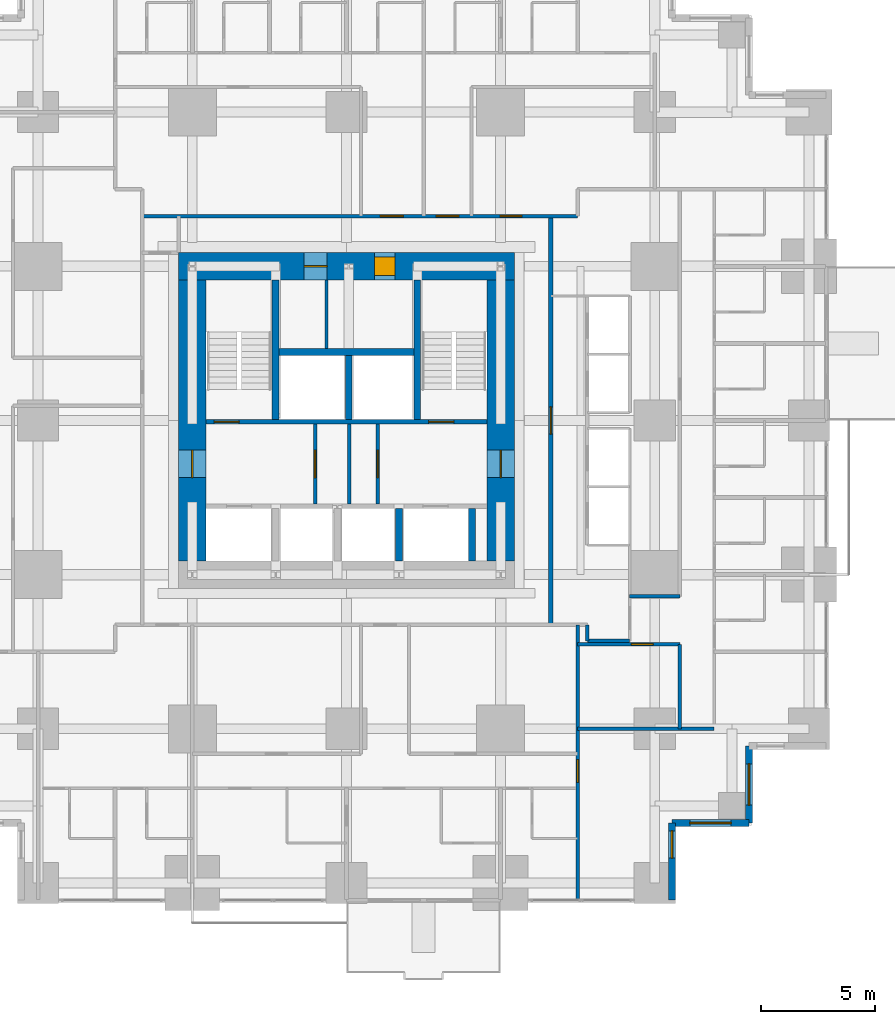
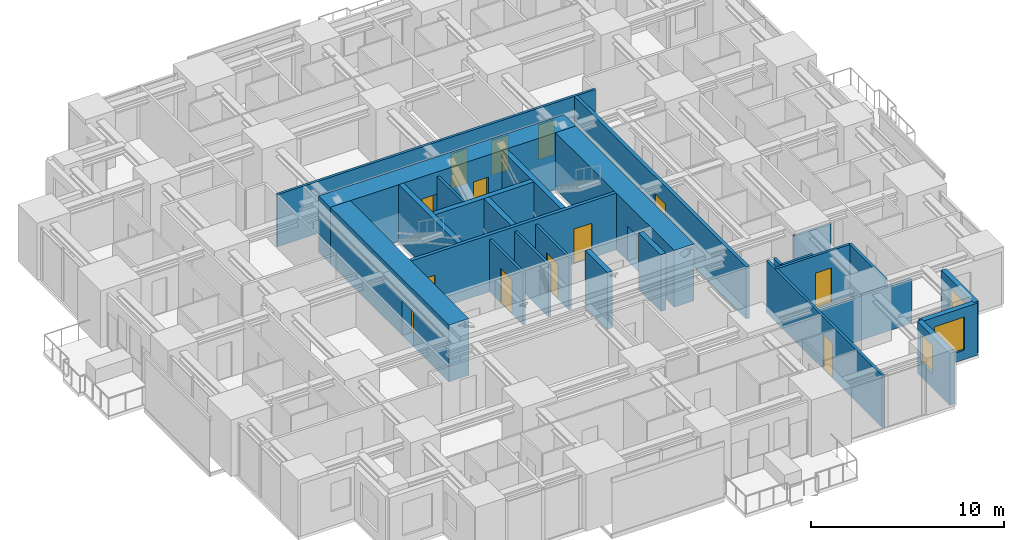
# One storey, part 10 of 15: 26 walls, 14 doors, 3 windows, 17 openings.
"""IFC4 building model written with IfcOpenShell, lengths in metres."""

from ifc_helpers import new_model, si_unit, direction, frame, frame_2d, origin, place, context, subcontext, project, spatial, rectangle, extrude, material, layer, layer_set, type_object, element, fill, save


model = new_model("IFC4")

# Units and contexts
model_context = context("Model", 3, precision=1e-05, world=origin(), true_north=direction((0.0, 1.0)))
body_context = subcontext(model_context, "Body", "Model", "MODEL_VIEW")
ifc_project = project(units=[si_unit("LENGTHUNIT", "METRE"), si_unit("AREAUNIT", "SQUARE_METRE"), si_unit("VOLUMEUNIT", "CUBIC_METRE"), si_unit("PLANEANGLEUNIT", "RADIAN"), si_unit("MASSUNIT", "GRAM", prefix="KILO")], contexts=[model_context])

# Site, building, storey
site_placement = place(None, origin())
site = spatial("IfcSite", under=ifc_project, at=site_placement, CompositionType="ELEMENT")
building_placement = place(site_placement, origin())
building = spatial("IfcBuilding", under=site, at=building_placement, Name="Nyansa Garden Tower", CompositionType="ELEMENT")
storey_placement = place(building_placement, frame((0.0, 0.0, 72.0)))
storey = spatial("IfcBuildingStorey", under=building, at=storey_placement, Name="L19", CompositionType="ELEMENT", Elevation=72.0)

# Wall, openings, doors
ifc_material_1 = material(Name="Concrete C70/85", Category="concrete")
ifc_layer_1 = layer(ifc_material_1, 0.199951171875)
ifc_layer_set_1 = layer_set([ifc_layer_1], Name="Core inner wall CI200")
wall_type_1 = type_object("IfcWallType", Name="Core inner wall CI200", PredefinedType="SHEAR", material=ifc_layer_set_1)
wall_1_placement = place(storey_placement, frame((14.10009765625, 20.199951171875, 0.0), z_axis=(0.0, 0.0, 1.0), x_axis=(1.0, 0.0, 0.0)))
wall_1 = element("IfcWall", 1, at=wall_1_placement, inside=storey, type_object=wall_type_1, Name="Core inner wall L19", PredefinedType="SHEAR", context=body_context, shape_type="SweptSolid", body=[
    extrude(rectangle(XDim=12.2998046875, YDim=0.199951171875, at=frame_2d((6.14990234375, 0.0))), origin(), (0.0, 0.0, 1.0), 3.60009765625),
])
opening_1_placement = place(wall_1_placement, frame((0.35009765625, 0.0, 0.0)))
opening_1 = element("IfcOpeningElement", 2, at=opening_1_placement, cuts=wall_1, Name="Opening D05", PredefinedType="OPENING", context=body_context, shape_type="SweptSolid", body=[
    extrude(rectangle(XDim=1.10009765625, YDim=2.199951171875, at=frame_2d((0.550048828125, 1.10009765625))), frame((0.0, 0.10986328125, 0.0), z_axis=(0.0, -1.0, 0.0), x_axis=(1.0, 0.0, 0.0)), (0.0, 0.0, 1.0), 0.219970703125),
])
opening_2_placement = place(wall_1_placement, frame((9.75, 0.0, 0.0)))
opening_2 = element("IfcOpeningElement", 3, at=opening_2_placement, cuts=wall_1, Name="Opening D05", PredefinedType="OPENING", context=body_context, shape_type="SweptSolid", body=[
    extrude(rectangle(XDim=1.10009765625, YDim=2.199951171875, at=frame_2d((0.550048828125, 1.10009765625))), frame((0.0, 0.10986328125, 0.0), z_axis=(0.0, -1.0, 0.0), x_axis=(1.0, 0.0, 0.0)), (0.0, 0.0, 1.0), 0.219970703125),
])
ifc_material_2 = material(Name="Steel door, 120 minute fire resisting", Category="steel")
door_type_1 = type_object("IfcDoorType", Name="Stair door D05 1100x2200", OperationType="SINGLE_SWING_LEFT", PredefinedType="DOOR", material=ifc_material_2)
door_1_placement = place(opening_1_placement, origin())
door_1 = element("IfcDoor", 4, at=door_1_placement, inside=storey, type_object=door_type_1, Name="Stair S1 door", OperationType="SINGLE_SWING_LEFT", OverallHeight=2.199951171875, OverallWidth=1.10009765625, PredefinedType="DOOR", context=body_context, shape_type="SweptSolid", body=[
    extrude(rectangle(XDim=1.10009765625, YDim=2.199951171875, at=frame_2d((0.550048828125, 1.10009765625))), frame((0.0, 0.02490234375, 0.0), z_axis=(0.0, -1.0, 0.0), x_axis=(1.0, 0.0, 0.0)), (0.0, 0.0, 1.0), 0.050048828125),
])
fill(opening_1, door_1)
door_2_placement = place(opening_2_placement, origin())
door_2 = element("IfcDoor", 5, at=door_2_placement, inside=storey, type_object=door_type_1, Name="Stair S2 door", OperationType="SINGLE_SWING_LEFT", OverallHeight=2.199951171875, OverallWidth=1.10009765625, PredefinedType="DOOR", context=body_context, shape_type="SweptSolid", body=[
    extrude(rectangle(XDim=1.10009765625, YDim=2.199951171875, at=frame_2d((0.550048828125, 1.10009765625))), frame((0.0, 0.02490234375, 0.0), z_axis=(0.0, -1.0, 0.0), x_axis=(1.0, 0.0, 0.0)), (0.0, 0.0, 1.0), 0.050048828125),
])
fill(opening_2, door_2)

# Walls
ifc_material_3 = material(Name="Concrete C70/85", Category="concrete")
ifc_layer_2 = layer(ifc_material_3, 0.300048828125)
ifc_layer_set_2 = layer_set([ifc_layer_2], Name="Core inner wall CI300")
wall_type_2 = type_object("IfcWallType", Name="Core inner wall CI300", PredefinedType="SHEAR", material=ifc_layer_set_2)
for number, where, z_axis, x_axis, name in (
    (6, (17.14990234375, 20.300048828125, 0.0), (0.0, 0.0, 1.0), (0.0, 1.0, 0.0), "Core inner wall L19"),
    (7, (23.35009765625, 20.300048828125, 0.0), (0.0, 0.0, 1.0), (0.0, 1.0, 0.0), "Core inner wall L19"),
):
    element("IfcWall", number, at=place(storey_placement, frame(where, z_axis=z_axis, x_axis=x_axis)), inside=storey, type_object=wall_type_2, Name=name, PredefinedType="SHEAR", context=body_context, shape_type="SweptSolid", body=[
        extrude(rectangle(XDim=6.099853515625, YDim=0.300048828125, at=frame_2d((3.0498046875, 0.0))), origin(), (0.0, 0.0, 1.0), 3.60009765625),
    ])
wall_2_placement = place(storey_placement, frame((20.35009765625, 20.300048828125, 0.0), z_axis=(0.0, 0.0, 1.0), x_axis=(0.0, 1.0, 0.0)))
element("IfcWall", 8, at=wall_2_placement, inside=storey, type_object=wall_type_2, Name="Core inner wall L19", PredefinedType="SHEAR", context=body_context, shape_type="SweptSolid", body=[
    extrude(rectangle(XDim=2.800048828125, YDim=0.300048828125, at=frame_2d((1.39990234375, 0.0))), origin(), (0.0, 0.0, 1.0), 3.60009765625),
])
wall_3_placement = place(storey_placement, frame((17.300048828125, 23.25, 0.0), z_axis=(0.0, 0.0, 1.0), x_axis=(1.0, 0.0, 0.0)))
element("IfcWall", 9, at=wall_3_placement, inside=storey, type_object=wall_type_2, Name="Core inner wall L19", PredefinedType="SHEAR", context=body_context, shape_type="SweptSolid", body=[
    extrude(rectangle(XDim=5.89990234375, YDim=0.300048828125, at=frame_2d((2.949951171875, 0.0))), origin(), (0.0, 0.0, 1.0), 3.60009765625),
])
for number, where, z_axis, x_axis, name in (
    (10, (22.550048828125, 14.10009765625, 0.0), (0.0, 0.0, 1.0), (0.0, 1.0, 0.0), "Core inner wall L19"),
    (11, (25.75, 14.10009765625, 0.0), (0.0, 0.0, 1.0), (0.0, 1.0, 0.0), "Core inner wall L19"),
):
    element("IfcWall", number, at=place(storey_placement, frame(where, z_axis=z_axis, x_axis=x_axis)), inside=storey, type_object=wall_type_2, Name=name, PredefinedType="SHEAR", context=body_context, shape_type="SweptSolid", body=[
        extrude(rectangle(XDim=2.2998046875, YDim=0.300048828125, at=frame_2d((1.14990234375, 0.0))), origin(), (0.0, 0.0, 1.0), 3.60009765625),
    ])

# Wall, opening, door
ifc_material_4 = material(Name="Concrete C80/95", Category="concrete")
ifc_layer_3 = layer(ifc_material_4, 1.199951171875)
ifc_layer_set_3 = layer_set([ifc_layer_3], Name="Core wall CW1200")
wall_type_3 = type_object("IfcWallType", Name="Core wall CW1200", PredefinedType="SHEAR", material=ifc_layer_set_3)
wall_4_placement = place(storey_placement, frame((27.0, 14.10009765625, 0.0), z_axis=(0.0, 0.0, 1.0), x_axis=(0.0, 1.0, 0.0)))
wall_4 = element("IfcWall", 12, at=wall_4_placement, inside=storey, type_object=wall_type_3, Name="Core wall E L19", PredefinedType="SHEAR", context=body_context, shape_type="SweptSolid", body=[
    extrude(rectangle(XDim=12.2998046875, YDim=1.199951171875, at=frame_2d((6.14990234375, 0.0))), origin(), (0.0, 0.0, 1.0), 3.60009765625),
])
opening_3_placement = place(wall_4_placement, frame((3.64990234375, 0.0, 0.0)))
opening_3 = element("IfcOpeningElement", 13, at=opening_3_placement, cuts=wall_4, Name="Opening D06", PredefinedType="OPENING", context=body_context, shape_type="SweptSolid", body=[
    extrude(rectangle(XDim=1.199951171875, YDim=2.199951171875, at=frame_2d((0.60009765625, 1.10009765625))), frame((0.0, 0.60986328125, 0.0), z_axis=(0.0, -1.0, 0.0), x_axis=(1.0, 0.0, 0.0)), (0.0, 0.0, 1.0), 1.219970703125),
])
ifc_material_5 = material(Name="Steel door, 120 minute fire resisting", Category="steel")
door_type_2 = type_object("IfcDoorType", Name="Lobby door D06 1200x2200", OperationType="DOUBLE_DOOR_SINGLE_SWING", PredefinedType="DOOR", material=ifc_material_5)
door_3_placement = place(opening_3_placement, origin())
door_3 = element("IfcDoor", 14, at=door_3_placement, inside=storey, type_object=door_type_2, Name="Lift lobby door east", OperationType="DOUBLE_DOOR_SINGLE_SWING", OverallHeight=2.199951171875, OverallWidth=1.199951171875, PredefinedType="DOOR", context=body_context, shape_type="SweptSolid", body=[
    extrude(rectangle(XDim=1.199951171875, YDim=2.199951171875, at=frame_2d((0.60009765625, 1.10009765625))), frame((0.0, 0.02490234375, 0.0), z_axis=(0.0, -1.0, 0.0), x_axis=(1.0, 0.0, 0.0)), (0.0, 0.0, 1.0), 0.050048828125),
])
fill(opening_3, door_3)

# Wall, openings, doors
wall_5_placement = place(storey_placement, frame((27.60009765625, 27.0, 0.0), z_axis=(0.0, 0.0, 1.0), x_axis=(-1.0, 0.0, 0.0)))
wall_5 = element("IfcWall", 15, at=wall_5_placement, inside=storey, type_object=wall_type_3, Name="Core wall N L19", PredefinedType="SHEAR", context=body_context, shape_type="SweptSolid", body=[
    extrude(rectangle(XDim=14.7001953125, YDim=1.199951171875, at=frame_2d((7.35009765625, 0.0))), origin(), (0.0, 0.0, 1.0), 3.60009765625),
])
opening_4_placement = place(wall_5_placement, frame((5.22509765625, 0.0, 0.0)))
opening_4 = element("IfcOpeningElement", 16, at=opening_4_placement, cuts=wall_5, Name="Opening D15", PredefinedType="OPENING", context=body_context, shape_type="SweptSolid", body=[
    extrude(rectangle(XDim=0.89990234375, YDim=2.199951171875, at=frame_2d((0.449951171875, 1.10009765625))), frame((0.0, 0.60986328125, 0.0), z_axis=(0.0, -1.0, 0.0), x_axis=(1.0, 0.0, 0.0)), (0.0, 0.0, 1.0), 1.219970703125),
])
opening_5_placement = place(wall_5_placement, frame((8.199951171875, 0.0, 0.0)))
opening_5 = element("IfcOpeningElement", 17, at=opening_5_placement, cuts=wall_5, Name="Opening D07", PredefinedType="OPENING", context=body_context, shape_type="SweptSolid", body=[
    extrude(rectangle(XDim=1.0, YDim=2.199951171875, at=frame_2d((0.5, 1.10009765625))), frame((0.0, 0.60986328125, 0.0), z_axis=(0.0, -1.0, 0.0), x_axis=(1.0, 0.0, 0.0)), (0.0, 0.0, 1.0), 1.219970703125),
])
ifc_material_6 = material(Name="Timber flush door, 60 minute fire resisting, self-closing", Category="wood")
door_type_3 = type_object("IfcDoorType", Name="Core room door D15 900x2200", OperationType="SINGLE_SWING_LEFT", PredefinedType="DOOR", material=ifc_material_6)
door_4_placement = place(opening_4_placement, origin())
door_4 = element("IfcDoor", 18, at=door_4_placement, inside=storey, type_object=door_type_3, Name="Core room door", OperationType="SINGLE_SWING_LEFT", OverallHeight=2.199951171875, OverallWidth=0.89990234375, PredefinedType="DOOR", context=body_context, shape_type="SweptSolid", body=[
    extrude(rectangle(XDim=0.89990234375, YDim=2.199951171875, at=frame_2d((0.449951171875, 1.10009765625))), frame((0.0, 0.39990234375, 0.0), z_axis=(0.0, -1.0, 0.0), x_axis=(1.0, 0.0, 0.0)), (0.0, 0.0, 1.0), 0.800048828125),
])
fill(opening_4, door_4)
ifc_material_7 = material(Name="Steel door, 120 minute fire resisting", Category="steel")
door_type_4 = type_object("IfcDoorType", Name="Riser door D07 1000x2200", OperationType="SINGLE_SWING_LEFT", PredefinedType="DOOR", material=ifc_material_7)
door_5_placement = place(opening_5_placement, origin())
door_5 = element("IfcDoor", 19, at=door_5_placement, inside=storey, type_object=door_type_4, Name="Riser and refuse room door", OperationType="SINGLE_SWING_LEFT", OverallHeight=2.199951171875, OverallWidth=1.0, PredefinedType="DOOR", context=body_context, shape_type="SweptSolid", body=[
    extrude(rectangle(XDim=1.0, YDim=2.199951171875, at=frame_2d((0.5, 1.10009765625))), frame((0.0, 0.02490234375, 0.0), z_axis=(0.0, -1.0, 0.0), x_axis=(1.0, 0.0, 0.0)), (0.0, 0.0, 1.0), 0.050048828125),
])
fill(opening_5, door_5)

# Wall, opening, door
wall_6_placement = place(storey_placement, frame((13.5, 26.39990234375, 0.0), z_axis=(0.0, 0.0, 1.0), x_axis=(0.0, -1.0, 0.0)))
wall_6 = element("IfcWall", 20, at=wall_6_placement, inside=storey, type_object=wall_type_3, Name="Core wall W L19", PredefinedType="SHEAR", context=body_context, shape_type="SweptSolid", body=[
    extrude(rectangle(XDim=12.2998046875, YDim=1.199951171875, at=frame_2d((6.14990234375, 0.0))), origin(), (0.0, 0.0, 1.0), 3.60009765625),
])
opening_6_placement = place(wall_6_placement, frame((7.449951171875, 0.0, 0.0)))
opening_6 = element("IfcOpeningElement", 21, at=opening_6_placement, cuts=wall_6, Name="Opening D06", PredefinedType="OPENING", context=body_context, shape_type="SweptSolid", body=[
    extrude(rectangle(XDim=1.199951171875, YDim=2.199951171875, at=frame_2d((0.60009765625, 1.10009765625))), frame((0.0, 0.60986328125, 0.0), z_axis=(0.0, -1.0, 0.0), x_axis=(1.0, 0.0, 0.0)), (0.0, 0.0, 1.0), 1.219970703125),
])
door_6_placement = place(opening_6_placement, origin())
door_6 = element("IfcDoor", 22, at=door_6_placement, inside=storey, type_object=door_type_2, Name="Lift lobby door west", OperationType="DOUBLE_DOOR_SINGLE_SWING", OverallHeight=2.199951171875, OverallWidth=1.199951171875, PredefinedType="DOOR", context=body_context, shape_type="SweptSolid", body=[
    extrude(rectangle(XDim=1.199951171875, YDim=2.199951171875, at=frame_2d((0.60009765625, 1.10009765625))), frame((0.0, 0.02490234375, 0.0), z_axis=(0.0, -1.0, 0.0), x_axis=(1.0, 0.0, 0.0)), (0.0, 0.0, 1.0), 0.050048828125),
])
fill(opening_6, door_6)

ifc_material_8 = material(Name="Concrete blockwork, plastered, 60 minute fire resisting", Category="masonry")
ifc_layer_4 = layer(ifc_material_8, 0.199951171875)
ifc_layer_set_4 = layer_set([ifc_layer_4], Name="Corridor wall FW200")
wall_type_4 = type_object("IfcWallType", Name="Corridor wall FW200", PredefinedType="PARTITIONING", material=ifc_layer_set_4)
wall_7_placement = place(storey_placement, frame((29.199951171875, 11.300048828125, 0.0), z_axis=(0.0, 0.0, 1.0), x_axis=(0.0, 1.0, 0.0)))
wall_7 = element("IfcWall", 23, at=wall_7_placement, inside=storey, type_object=wall_type_4, Name="Corridor wall", PredefinedType="PARTITIONING", context=body_context, shape_type="SweptSolid", body=[
    extrude(rectangle(XDim=17.89990234375, YDim=0.199951171875, at=frame_2d((8.949951171875, 0.0))), origin(), (0.0, 0.0, 1.0), 3.300048828125),
])
opening_7_placement = place(wall_7_placement, frame((8.35009765625, 0.0, 0.0)))
opening_7 = element("IfcOpeningElement", 24, at=opening_7_placement, cuts=wall_7, Name="Opening D06", PredefinedType="OPENING", context=body_context, shape_type="SweptSolid", body=[
    extrude(rectangle(XDim=1.199951171875, YDim=2.199951171875, at=frame_2d((0.60009765625, 1.10009765625))), frame((0.0, 0.10986328125, 0.0), z_axis=(0.0, -1.0, 0.0), x_axis=(1.0, 0.0, 0.0)), (0.0, 0.0, 1.0), 0.219970703125),
])
door_7_placement = place(opening_7_placement, origin())
door_7 = element("IfcDoor", 25, at=door_7_placement, inside=storey, type_object=door_type_2, Name="Low-rise lift lobby door", OperationType="DOUBLE_DOOR_SINGLE_SWING", OverallHeight=2.199951171875, OverallWidth=1.199951171875, PredefinedType="DOOR", context=body_context, shape_type="SweptSolid", body=[
    extrude(rectangle(XDim=1.199951171875, YDim=2.199951171875, at=frame_2d((0.60009765625, 1.10009765625))), frame((0.0, 0.02490234375, 0.0), z_axis=(0.0, -1.0, 0.0), x_axis=(1.0, 0.0, 0.0)), (0.0, 0.0, 1.0), 0.050048828125),
])
fill(opening_7, door_7)

ifc_material_9 = material(Name="Blockwork, plastered both sides", Category="masonry")
ifc_layer_5 = layer(ifc_material_9, 0.14990234375)
ifc_layer_set_5 = layer_set([ifc_layer_5], Name="Partition PW150")
wall_type_5 = type_object("IfcWallType", Name="Partition PW150", PredefinedType="PARTITIONING", material=ifc_layer_set_5)
wall_8_placement = place(storey_placement, frame((18.875, 16.60009765625, 0.0), z_axis=(0.0, 0.0, 1.0), x_axis=(0.0, 1.0, 0.0)))
wall_8 = element("IfcWall", 26, at=wall_8_placement, inside=storey, type_object=wall_type_5, Name="Partition", PredefinedType="PARTITIONING", context=body_context, shape_type="SweptSolid", body=[
    extrude(rectangle(XDim=3.5, YDim=0.14990234375, at=frame_2d((1.75, 0.0))), origin(), (0.0, 0.0, 1.0), 3.300048828125),
])
opening_8_placement = place(wall_8_placement, frame((1.14990234375, 0.0, 0.0)))
opening_8 = element("IfcOpeningElement", 27, at=opening_8_placement, cuts=wall_8, Name="Opening D06", PredefinedType="OPENING", context=body_context, shape_type="SweptSolid", body=[
    extrude(rectangle(XDim=1.199951171875, YDim=2.199951171875, at=frame_2d((0.60009765625, 1.10009765625))), frame((0.0, 0.0849609375, 0.0), z_axis=(0.0, -1.0, 0.0), x_axis=(1.0, 0.0, 0.0)), (0.0, 0.0, 1.0), 0.169921875),
])
door_8_placement = place(opening_8_placement, origin())
door_8 = element("IfcDoor", 28, at=door_8_placement, inside=storey, type_object=door_type_2, Name="Passenger lift lobby door", OperationType="DOUBLE_DOOR_SINGLE_SWING", OverallHeight=2.199951171875, OverallWidth=1.199951171875, PredefinedType="DOOR", context=body_context, shape_type="SweptSolid", body=[
    extrude(rectangle(XDim=1.199951171875, YDim=2.199951171875, at=frame_2d((0.60009765625, 1.10009765625))), frame((0.0, 0.02490234375, 0.0), z_axis=(0.0, -1.0, 0.0), x_axis=(1.0, 0.0, 0.0)), (0.0, 0.0, 1.0), 0.050048828125),
])
fill(opening_8, door_8)

wall_9_placement = place(storey_placement, frame((21.625, 16.60009765625, 0.0), z_axis=(0.0, 0.0, 1.0), x_axis=(0.0, 1.0, 0.0)))
wall_9 = element("IfcWall", 29, at=wall_9_placement, inside=storey, type_object=wall_type_5, Name="Partition", PredefinedType="PARTITIONING", context=body_context, shape_type="SweptSolid", body=[
    extrude(rectangle(XDim=3.5, YDim=0.14990234375, at=frame_2d((1.75, 0.0))), origin(), (0.0, 0.0, 1.0), 3.300048828125),
])
opening_9_placement = place(wall_9_placement, frame((1.14990234375, 0.0, 0.0)))
opening_9 = element("IfcOpeningElement", 30, at=opening_9_placement, cuts=wall_9, Name="Opening D06", PredefinedType="OPENING", context=body_context, shape_type="SweptSolid", body=[
    extrude(rectangle(XDim=1.199951171875, YDim=2.199951171875, at=frame_2d((0.60009765625, 1.10009765625))), frame((0.0, 0.0849609375, 0.0), z_axis=(0.0, -1.0, 0.0), x_axis=(1.0, 0.0, 0.0)), (0.0, 0.0, 1.0), 0.169921875),
])
door_9_placement = place(opening_9_placement, origin())
door_9 = element("IfcDoor", 31, at=door_9_placement, inside=storey, type_object=door_type_2, Name="Passenger lift lobby door", OperationType="DOUBLE_DOOR_SINGLE_SWING", OverallHeight=2.199951171875, OverallWidth=1.199951171875, PredefinedType="DOOR", context=body_context, shape_type="SweptSolid", body=[
    extrude(rectangle(XDim=1.199951171875, YDim=2.199951171875, at=frame_2d((0.60009765625, 1.10009765625))), frame((0.0, 0.02490234375, 0.0), z_axis=(0.0, -1.0, 0.0), x_axis=(1.0, 0.0, 0.0)), (0.0, 0.0, 1.0), 0.050048828125),
])
fill(opening_9, door_9)

# Walls
wall_10_placement = place(storey_placement, frame((20.3798828125, 16.60009765625, 0.0), z_axis=(0.0, 0.0, 1.0), x_axis=(0.0, 1.0, 0.0)))
element("IfcWall", 32, at=wall_10_placement, inside=storey, type_object=wall_type_5, Name="Partition", PredefinedType="PARTITIONING", context=body_context, shape_type="SweptSolid", body=[
    extrude(rectangle(XDim=3.5, YDim=0.14990234375, at=frame_2d((1.75, 0.0))), origin(), (0.0, 0.0, 1.0), 3.300048828125),
])
wall_11_placement = place(storey_placement, frame((19.375, 23.39990234375, 0.0), z_axis=(0.0, 0.0, 1.0), x_axis=(0.0, 1.0, 0.0)))
element("IfcWall", 33, at=wall_11_placement, inside=storey, type_object=wall_type_5, Name="Partition", PredefinedType="PARTITIONING", context=body_context, shape_type="SweptSolid", body=[
    extrude(rectangle(XDim=3.0, YDim=0.14990234375, at=frame_2d((1.5, 0.0))), origin(), (0.0, 0.0, 1.0), 3.300048828125),
])

# Wall, openings, doors
wall_12_placement = place(storey_placement, frame((11.300048828125, 29.199951171875, 0.0), z_axis=(0.0, 0.0, 1.0), x_axis=(1.0, 0.0, 0.0)))
wall_12 = element("IfcWall", 34, at=wall_12_placement, inside=storey, type_object=wall_type_5, Name="Partition", PredefinedType="PARTITIONING", context=body_context, shape_type="SweptSolid", body=[
    extrude(rectangle(XDim=19.074951171875, YDim=0.14990234375, at=frame_2d((9.53759765625, 0.0))), origin(), (0.0, 0.0, 1.0), 3.300048828125),
])
opening_10_placement = place(wall_12_placement, frame((12.875, 0.0, 0.0)))
opening_10 = element("IfcOpeningElement", 35, at=opening_10_placement, cuts=wall_12, Name="Opening D03", PredefinedType="OPENING", context=body_context, shape_type="SweptSolid", body=[
    extrude(rectangle(XDim=1.0, YDim=2.199951171875, at=frame_2d((0.5, 1.10009765625))), frame((0.0, 0.0849609375, 0.0), z_axis=(0.0, -1.0, 0.0), x_axis=(1.0, 0.0, 0.0)), (0.0, 0.0, 1.0), 0.169921875),
])
opening_11_placement = place(wall_12_placement, frame((10.4375, 0.0, 0.0)))
opening_11 = element("IfcOpeningElement", 36, at=opening_11_placement, cuts=wall_12, Name="Opening D03", PredefinedType="OPENING", context=body_context, shape_type="SweptSolid", body=[
    extrude(rectangle(XDim=1.0, YDim=2.199951171875, at=frame_2d((0.5, 1.10009765625))), frame((0.0, 0.0849609375, 0.0), z_axis=(0.0, -1.0, 0.0), x_axis=(1.0, 0.0, 0.0)), (0.0, 0.0, 1.0), 0.169921875),
])
opening_12_placement = place(wall_12_placement, frame((15.675048828125, 0.0, 0.0)))
opening_12 = element("IfcOpeningElement", 37, at=opening_12_placement, cuts=wall_12, Name="Opening D01", PredefinedType="OPENING", context=body_context, shape_type="SweptSolid", body=[
    extrude(rectangle(XDim=0.949951171875, YDim=2.199951171875, at=frame_2d((0.47509765625, 1.10009765625))), frame((0.0, 0.0849609375, 0.0), z_axis=(0.0, -1.0, 0.0), x_axis=(1.0, 0.0, 0.0)), (0.0, 0.0, 1.0), 0.169921875),
])
ifc_material_10 = material(Name="Timber flush door, 30 minute fire resisting", Category="wood")
door_type_5 = type_object("IfcDoorType", Name="Bedroom door D01 950x2200", OperationType="SINGLE_SWING_LEFT", PredefinedType="DOOR", material=ifc_material_10)
door_10_placement = place(opening_12_placement, origin())
door_10 = element("IfcDoor", 38, at=door_10_placement, inside=storey, type_object=door_type_5, Name="Door L19-064", OperationType="SINGLE_SWING_LEFT", OverallHeight=2.199951171875, OverallWidth=0.949951171875, PredefinedType="DOOR", context=body_context, shape_type="SweptSolid", body=[
    extrude(rectangle(XDim=0.949951171875, YDim=2.199951171875, at=frame_2d((0.47509765625, 1.10009765625))), frame((0.0, 0.02490234375, 0.0), z_axis=(0.0, -1.0, 0.0), x_axis=(1.0, 0.0, 0.0)), (0.0, 0.0, 1.0), 0.050048828125),
])
fill(opening_12, door_10)
ifc_material_11 = material(Name="Timber flush door, 60 minute fire resisting", Category="wood")
door_type_6 = type_object("IfcDoorType", Name="Cluster entrance door D03 1000x2200", OperationType="SINGLE_SWING_LEFT", PredefinedType="DOOR", material=ifc_material_11)
door_11_placement = place(opening_10_placement, origin())
door_11 = element("IfcDoor", 39, at=door_11_placement, inside=storey, type_object=door_type_6, Name="Door L19-054", OperationType="SINGLE_SWING_LEFT", OverallHeight=2.199951171875, OverallWidth=1.0, PredefinedType="DOOR", context=body_context, shape_type="SweptSolid", body=[
    extrude(rectangle(XDim=1.0, YDim=2.199951171875, at=frame_2d((0.5, 1.10009765625))), frame((0.0, 0.02490234375, 0.0), z_axis=(0.0, -1.0, 0.0), x_axis=(1.0, 0.0, 0.0)), (0.0, 0.0, 1.0), 0.050048828125),
])
fill(opening_10, door_11)
door_12_placement = place(opening_11_placement, origin())
door_12 = element("IfcDoor", 40, at=door_12_placement, inside=storey, type_object=door_type_6, Name="Door L19-063", OperationType="SINGLE_SWING_LEFT", OverallHeight=2.199951171875, OverallWidth=1.0, PredefinedType="DOOR", context=body_context, shape_type="SweptSolid", body=[
    extrude(rectangle(XDim=1.0, YDim=2.199951171875, at=frame_2d((0.5, 1.10009765625))), frame((0.0, 0.02490234375, 0.0), z_axis=(0.0, -1.0, 0.0), x_axis=(1.0, 0.0, 0.0)), (0.0, 0.0, 1.0), 0.050048828125),
])
fill(opening_11, door_12)

# Wall, opening, door
wall_13_placement = place(storey_placement, frame((30.375, -0.73388671875, 0.0), z_axis=(0.0, 0.0, 1.0), x_axis=(0.0, 1.0, 0.0)))
wall_13 = element("IfcWall", 41, at=wall_13_placement, inside=storey, type_object=wall_type_5, Name="Partition", PredefinedType="PARTITIONING", context=body_context, shape_type="SweptSolid", body=[
    extrude(rectangle(XDim=12.033935546875, YDim=0.14990234375, at=frame_2d((6.01708984375, 0.0))), origin(), (0.0, 0.0, 1.0), 3.300048828125),
])
opening_13_placement = place(wall_13_placement, frame((5.134033203125, 0.0, 0.0)))
opening_13 = element("IfcOpeningElement", 42, at=opening_13_placement, cuts=wall_13, Name="Opening D03", PredefinedType="OPENING", context=body_context, shape_type="SweptSolid", body=[
    extrude(rectangle(XDim=1.0, YDim=2.199951171875, at=frame_2d((0.5, 1.10009765625))), frame((0.0, 0.0849609375, 0.0), z_axis=(0.0, -1.0, 0.0), x_axis=(1.0, 0.0, 0.0)), (0.0, 0.0, 1.0), 0.169921875),
])
door_13_placement = place(opening_13_placement, origin())
door_13 = element("IfcDoor", 43, at=door_13_placement, inside=storey, type_object=door_type_6, Name="Door L19-033", OperationType="SINGLE_SWING_LEFT", OverallHeight=2.199951171875, OverallWidth=1.0, PredefinedType="DOOR", context=body_context, shape_type="SweptSolid", body=[
    extrude(rectangle(XDim=1.0, YDim=2.199951171875, at=frame_2d((0.5, 1.10009765625))), frame((0.0, 0.02490234375, 0.0), z_axis=(0.0, -1.0, 0.0), x_axis=(1.0, 0.0, 0.0)), (0.0, 0.0, 1.0), 0.050048828125),
])
fill(opening_13, door_13)

# Wall
wall_14_placement = place(storey_placement, frame((30.375, 6.75, 0.0), z_axis=(0.0, 0.0, 1.0), x_axis=(1.0, 0.0, 0.0)))
element("IfcWall", 44, at=wall_14_placement, inside=storey, type_object=wall_type_5, Name="Partition", PredefinedType="PARTITIONING", context=body_context, shape_type="SweptSolid", body=[
    extrude(rectangle(XDim=5.97509765625, YDim=0.14990234375, at=frame_2d((2.987548828125, 0.0))), origin(), (0.0, 0.0, 1.0), 2.802001953125),
])

# Wall, opening, door
wall_15_placement = place(storey_placement, frame((30.375, 10.449951171875, 0.0), z_axis=(0.0, 0.0, 1.0), x_axis=(1.0, 0.0, 0.0)))
wall_15 = element("IfcWall", 45, at=wall_15_placement, inside=storey, type_object=wall_type_5, Name="Partition", PredefinedType="PARTITIONING", context=body_context, shape_type="SweptSolid", body=[
    extrude(rectangle(XDim=4.47509765625, YDim=0.14990234375, at=frame_2d((2.237548828125, 0.0))), origin(), (0.0, 0.0, 1.0), 3.300048828125),
])
opening_14_placement = place(wall_15_placement, frame((2.35009765625, 0.0, 0.0)))
opening_14 = element("IfcOpeningElement", 46, at=opening_14_placement, cuts=wall_15, Name="Opening D01", PredefinedType="OPENING", context=body_context, shape_type="SweptSolid", body=[
    extrude(rectangle(XDim=0.949951171875, YDim=2.199951171875, at=frame_2d((0.47509765625, 1.10009765625))), frame((0.0, 0.0849609375, 0.0), z_axis=(0.0, -1.0, 0.0), x_axis=(1.0, 0.0, 0.0)), (0.0, 0.0, 1.0), 0.169921875),
])
door_14_placement = place(opening_14_placement, origin())
door_14 = element("IfcDoor", 47, at=door_14_placement, inside=storey, type_object=door_type_5, Name="Door L19-048", OperationType="SINGLE_SWING_LEFT", OverallHeight=2.199951171875, OverallWidth=0.949951171875, PredefinedType="DOOR", context=body_context, shape_type="SweptSolid", body=[
    extrude(rectangle(XDim=0.949951171875, YDim=2.199951171875, at=frame_2d((0.47509765625, 1.10009765625))), frame((0.0, 0.02490234375, 0.0), z_axis=(0.0, -1.0, 0.0), x_axis=(1.0, 0.0, 0.0)), (0.0, 0.0, 1.0), 0.050048828125),
])
fill(opening_14, door_14)

# Walls
wall_16_placement = place(storey_placement, frame((30.800048828125, 10.60009765625, 0.0), z_axis=(0.0, 0.0, 1.0), x_axis=(0.0, 1.0, 0.0)))
element("IfcWall", 48, at=wall_16_placement, inside=storey, type_object=wall_type_5, Name="Partition", PredefinedType="PARTITIONING", context=body_context, shape_type="SweptSolid", body=[
    extrude(rectangle(XDim=0.699951171875, YDim=0.14990234375, at=frame_2d((0.35009765625, 0.0))), origin(), (0.0, 0.0, 1.0), 3.300048828125),
])
wall_17_placement = place(storey_placement, frame((30.800048828125, 10.60009765625, 0.0), z_axis=(0.0, 0.0, 1.0), x_axis=(1.0, 0.0, 0.0)))
element("IfcWall", 49, at=wall_17_placement, inside=storey, type_object=wall_type_5, Name="Partition", PredefinedType="PARTITIONING", context=body_context, shape_type="SweptSolid", body=[
    extrude(rectangle(XDim=1.849853515625, YDim=0.14990234375, at=frame_2d((0.9248046875, 0.0))), origin(), (0.0, 0.0, 1.0), 3.300048828125),
])
wall_18_placement = place(storey_placement, frame((32.64990234375, 12.550048828125, 0.0), z_axis=(0.0, 0.0, 1.0), x_axis=(1.0, 0.0, 0.0)))
element("IfcWall", 50, at=wall_18_placement, inside=storey, type_object=wall_type_5, Name="Partition", PredefinedType="PARTITIONING", context=body_context, shape_type="SweptSolid", body=[
    extrude(rectangle(XDim=2.2001953125, YDim=0.14990234375, at=frame_2d((1.10009765625, 0.0))), origin(), (0.0, 0.0, 1.0), 3.300048828125),
])
wall_19_placement = place(storey_placement, frame((34.85009765625, 6.75, 0.0), z_axis=(0.0, 0.0, 1.0), x_axis=(0.0, 1.0, 0.0)))
element("IfcWall", 51, at=wall_19_placement, inside=storey, type_object=wall_type_5, Name="Partition", PredefinedType="PARTITIONING", context=body_context, shape_type="SweptSolid", body=[
    extrude(rectangle(XDim=3.699951171875, YDim=0.14990234375, at=frame_2d((1.85009765625, 0.0))), origin(), (0.0, 0.0, 1.0), 3.300048828125),
])

# Wall, opening, window
ifc_material_12 = material(Name="Turquoise glazed tile on concrete blockwork", Category="masonry")
ifc_layer_6 = layer(ifc_material_12, 0.300048828125)
ifc_layer_set_6 = layer_set([ifc_layer_6], Name="Tiled corner wall TW300")
wall_type_6 = type_object("IfcWallType", Name="Tiled corner wall TW300", PredefinedType="SOLIDWALL", material=ifc_layer_set_6)
wall_20_placement = place(storey_placement, frame((34.5, -0.75, 0.0), z_axis=(0.0, 0.0, 1.0), x_axis=(0.0, 1.0, 0.0)))
wall_20 = element("IfcWall", 52, at=wall_20_placement, inside=storey, type_object=wall_type_6, Name="Tiled corner wall L19", PredefinedType="SOLIDWALL", context=body_context, shape_type="SweptSolid", body=[
    extrude(rectangle(XDim=3.375, YDim=0.300048828125, at=frame_2d((1.6875, 0.0))), origin(), (0.0, 0.0, 1.0), 3.300048828125),
])
opening_15_placement = place(wall_20_placement, frame((1.83251953125, 0.0, 0.89990234375)))
opening_15 = element("IfcOpeningElement", 53, at=opening_15_placement, cuts=wall_20, Name="Opening W4", PredefinedType="OPENING", context=body_context, shape_type="SweptSolid", body=[
    extrude(rectangle(XDim=1.199951171875, YDim=1.800048828125, at=frame_2d((0.60009765625, 0.89990234375))), frame((0.0, 0.159912109375, 0.0), z_axis=(0.0, -1.0, 0.0), x_axis=(1.0, 0.0, 0.0)), (0.0, 0.0, 1.0), 0.320068359375),
])
ifc_material_13 = material(Name="Black aluminium frame, dark tinted double glazing", Category="aluminium")
window_type_1 = type_object("IfcWindowType", Name="Window W4 1200x1800", PartitioningType="SINGLE_PANEL", PredefinedType="WINDOW", material=ifc_material_13)
window_1_placement = place(opening_15_placement, origin())
window_1 = element("IfcWindow", 54, at=window_1_placement, inside=storey, type_object=window_type_1, Name="Corner window L19", OverallHeight=1.800048828125, OverallWidth=1.199951171875, PartitioningType="SINGLE_PANEL", PredefinedType="WINDOW", context=body_context, shape_type="SweptSolid", body=[
    extrude(rectangle(XDim=1.199951171875, YDim=1.800048828125, at=frame_2d((0.60009765625, 0.89990234375))), frame((0.0, 0.030029296875, 0.0), z_axis=(0.0, -1.0, 0.0), x_axis=(1.0, 0.0, 0.0)), (0.0, 0.0, 1.0), 0.06005859375),
])
fill(opening_15, window_1)

wall_21_placement = place(storey_placement, frame((34.5, 2.625, 0.0), z_axis=(0.0, 0.0, 1.0), x_axis=(1.0, 0.0, 0.0)))
wall_21 = element("IfcWall", 55, at=wall_21_placement, inside=storey, type_object=wall_type_6, Name="Tiled corner wall L19", PredefinedType="SOLIDWALL", context=body_context, shape_type="SweptSolid", body=[
    extrude(rectangle(XDim=3.375, YDim=0.300048828125, at=frame_2d((1.6875, 0.0))), origin(), (0.0, 0.0, 1.0), 3.300048828125),
])
opening_16_placement = place(wall_21_placement, frame((0.78759765625, 0.0, 0.60009765625)))
opening_16 = element("IfcOpeningElement", 56, at=opening_16_placement, cuts=wall_21, Name="Opening W2", PredefinedType="OPENING", context=body_context, shape_type="SweptSolid", body=[
    extrude(rectangle(XDim=1.800048828125, YDim=2.10009765625, at=frame_2d((0.89990234375, 1.050048828125))), frame((0.0, 0.159912109375, 0.0), z_axis=(0.0, -1.0, 0.0), x_axis=(1.0, 0.0, 0.0)), (0.0, 0.0, 1.0), 0.320068359375),
])
ifc_material_14 = material(Name="Black aluminium frame, dark tinted double glazing", Category="aluminium")
window_type_2 = type_object("IfcWindowType", Name="Window W2 1800x2100", PartitioningType="SINGLE_PANEL", PredefinedType="WINDOW", material=ifc_material_14)
window_2_placement = place(opening_16_placement, origin())
window_2 = element("IfcWindow", 57, at=window_2_placement, inside=storey, type_object=window_type_2, Name="Corner window L19", OverallHeight=2.10009765625, OverallWidth=1.800048828125, PartitioningType="SINGLE_PANEL", PredefinedType="WINDOW", context=body_context, shape_type="SweptSolid", body=[
    extrude(rectangle(XDim=1.800048828125, YDim=2.10009765625, at=frame_2d((0.89990234375, 1.050048828125))), frame((0.0, 0.030029296875, 0.0), z_axis=(0.0, -1.0, 0.0), x_axis=(1.0, 0.0, 0.0)), (0.0, 0.0, 1.0), 0.06005859375),
])
fill(opening_16, window_2)

wall_22_placement = place(storey_placement, frame((37.875, 2.625, 0.0), z_axis=(0.0, 0.0, 1.0), x_axis=(0.0, 1.0, 0.0)))
wall_22 = element("IfcWall", 58, at=wall_22_placement, inside=storey, type_object=wall_type_6, Name="Tiled corner wall L19", PredefinedType="SOLIDWALL", context=body_context, shape_type="SweptSolid", body=[
    extrude(rectangle(XDim=3.375, YDim=0.300048828125, at=frame_2d((1.6875, 0.0))), origin(), (0.0, 0.0, 1.0), 3.300048828125),
])
opening_17_placement = place(wall_22_placement, frame((0.78759765625, 0.0, 0.60009765625)))
opening_17 = element("IfcOpeningElement", 59, at=opening_17_placement, cuts=wall_22, Name="Opening W2", PredefinedType="OPENING", context=body_context, shape_type="SweptSolid", body=[
    extrude(rectangle(XDim=1.800048828125, YDim=2.10009765625, at=frame_2d((0.89990234375, 1.050048828125))), frame((0.0, 0.159912109375, 0.0), z_axis=(0.0, -1.0, 0.0), x_axis=(1.0, 0.0, 0.0)), (0.0, 0.0, 1.0), 0.320068359375),
])
window_3_placement = place(opening_17_placement, origin())
window_3 = element("IfcWindow", 60, at=window_3_placement, inside=storey, type_object=window_type_2, Name="Corner window L19", OverallHeight=2.10009765625, OverallWidth=1.800048828125, PartitioningType="SINGLE_PANEL", PredefinedType="WINDOW", context=body_context, shape_type="SweptSolid", body=[
    extrude(rectangle(XDim=1.800048828125, YDim=2.10009765625, at=frame_2d((0.89990234375, 1.050048828125))), frame((0.0, 0.030029296875, 0.0), z_axis=(0.0, -1.0, 0.0), x_axis=(1.0, 0.0, 0.0)), (0.0, 0.0, 1.0), 0.06005859375),
])
fill(opening_17, window_3)

save(model, "model.ifc")
